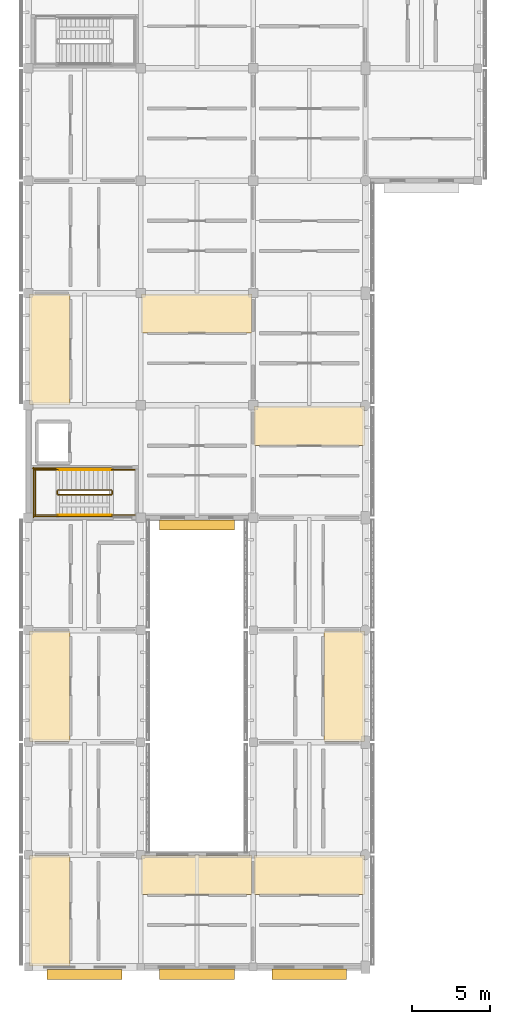
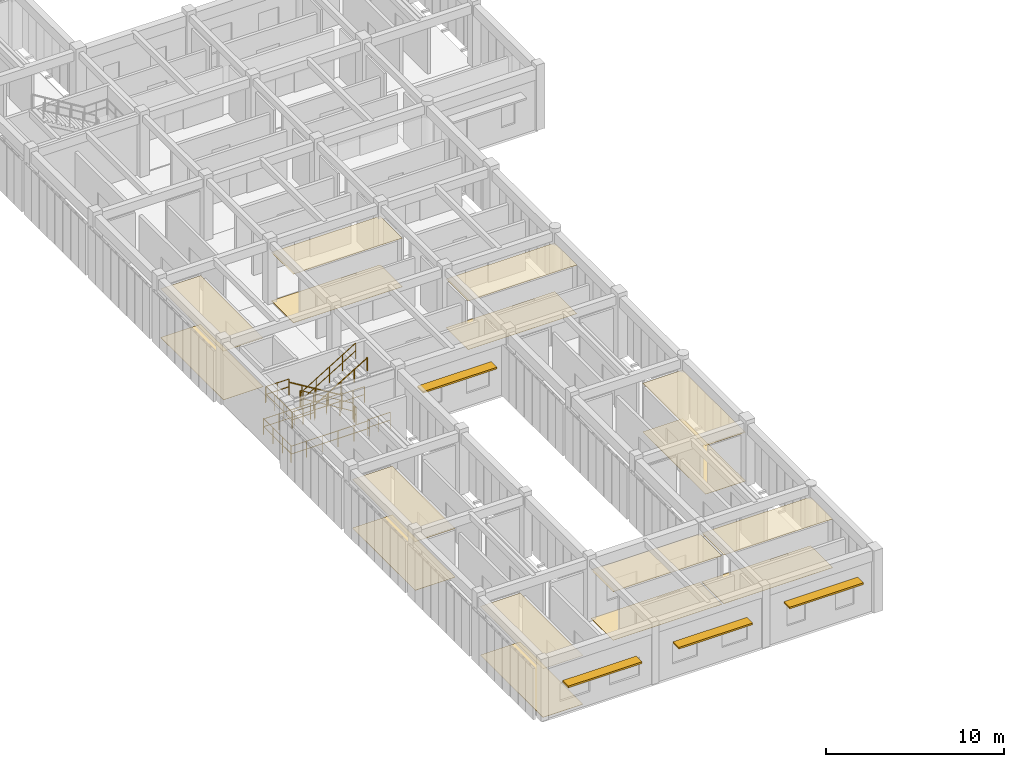
# One storey, part 147 of 171: 16 coverings, 14 railings, 4 shading devices.
"""IFC4 building model written with IfcOpenShell, lengths in metres."""

from ifc_helpers import new_model, si_unit, direction, frame, origin, origin_2d, place, context, subcontext, project, spatial, polyline, rectangle, circle, outline, extrude, material, layer, layer_set, type_object, element, save


model = new_model("IFC4")

# Units and contexts
model_context = context("Model", 3, precision=1e-05, world=origin(), true_north=direction((0.0, 1.0)))
body_context = subcontext(model_context, "Body", "Model", "MODEL_VIEW")
ifc_project = project(units=[si_unit("LENGTHUNIT", "METRE"), si_unit("AREAUNIT", "SQUARE_METRE"), si_unit("VOLUMEUNIT", "CUBIC_METRE"), si_unit("PLANEANGLEUNIT", "RADIAN"), si_unit("MASSUNIT", "GRAM", prefix="KILO")], contexts=[model_context])

# Site, building, storey
site_placement = place(None, origin())
site = spatial("IfcSite", under=ifc_project, at=site_placement, CompositionType="ELEMENT")
building_placement = place(site_placement, origin())
building = spatial("IfcBuilding", under=site, at=building_placement, Name="Aldebral Square Health Centre", CompositionType="ELEMENT")
storey_placement = place(building_placement, frame((0.0, 0.0, 4.5)))
storey = spatial("IfcBuildingStorey", under=building, at=storey_placement, Name="L01", CompositionType="ELEMENT", Elevation=4.5)

# Coverings
ifc_material_1 = material(Name="Hygienic acoustic mineral ceiling tile")
ifc_layer_1 = layer(ifc_material_1, 0.02001953125, Name="Hygienic acoustic mineral ceiling tile")
ifc_layer_set_1 = layer_set([ifc_layer_1], Name="Hygienic acoustic mineral ceiling tile")
covering_type_1 = type_object("IfcCoveringType", Name="COV-CLG-AC", PredefinedType="CEILING", material=ifc_layer_set_1)
covering_1_placement = place(storey_placement, frame((0.0, 0.0, 3.340087890625)))
element("IfcCovering", 1, at=covering_1_placement, inside=storey, type_object=covering_type_1, Name="L01 Community Room 1.1W acoustic ceiling", PredefinedType="CEILING", context=body_context, shape_type="SweptSolid", body=[
    extrude(outline(polyline([(0.06005859375, 0.06005859375), (2.659912109375, 0.06005859375), (2.659912109375, 7.139892578125), (0.06005859375, 7.139892578125), (0.06005859375, 0.06005859375)])), origin(), (0.0, 0.0, 1.0), 0.02001953125),
])
covering_2_placement = place(storey_placement, frame((0.0, 0.0, 3.340087890625)))
element("IfcCovering", 2, at=covering_2_placement, inside=storey, type_object=covering_type_1, Name="L01 Accessible WC 1.3W acoustic ceiling", PredefinedType="CEILING", context=body_context, shape_type="SweptSolid", body=[
    extrude(outline(polyline([(0.06005859375, 14.4599609375), (2.659912109375, 14.4599609375), (2.659912109375, 21.5400390625), (0.06005859375, 21.5400390625), (0.06005859375, 14.4599609375)])), origin(), (0.0, 0.0, 1.0), 0.02001953125),
])
covering_3_placement = place(storey_placement, frame((0.0, 0.0, 3.340087890625)))
element("IfcCovering", 3, at=covering_3_placement, inside=storey, type_object=covering_type_1, Name="L01 Community Health Library 1.6W acoustic ceiling", PredefinedType="CEILING", context=body_context, shape_type="SweptSolid", body=[
    extrude(outline(polyline([(0.06005859375, 36.06005859375), (2.659912109375, 36.06005859375), (2.659912109375, 43.139892578125), (0.06005859375, 43.139892578125), (0.06005859375, 36.06005859375)])), origin(), (0.0, 0.0, 1.0), 0.02001953125),
])
covering_4_placement = place(storey_placement, frame((0.0, 0.0, 3.340087890625)))
element("IfcCovering", 4, at=covering_4_placement, inside=storey, type_object=covering_type_1, Name="L01 Nutrition Studio 2.1N acoustic ceiling", PredefinedType="CEILING", context=body_context, shape_type="SweptSolid", body=[
    extrude(outline(polyline([(7.260009765625, 4.639892578125), (14.340087890625, 4.639892578125), (14.340087890625, 7.139892578125), (7.260009765625, 7.139892578125), (7.260009765625, 4.639892578125)])), origin(), (0.0, 0.0, 1.0), 0.02001953125),
])
covering_5_placement = place(storey_placement, frame((0.0, 0.0, 3.340087890625)))
element("IfcCovering", 5, at=covering_5_placement, inside=storey, type_object=covering_type_1, Name="L01 Health Education Seminar 2.6N acoustic ceiling", PredefinedType="CEILING", context=body_context, shape_type="SweptSolid", body=[
    extrude(outline(polyline([(7.260009765625, 40.639892578125), (14.340087890625, 40.639892578125), (14.340087890625, 43.139892578125), (7.260009765625, 43.139892578125), (7.260009765625, 40.639892578125)])), origin(), (0.0, 0.0, 1.0), 0.02001953125),
])
covering_6_placement = place(storey_placement, frame((0.0, 0.0, 3.340087890625)))
element("IfcCovering", 6, at=covering_6_placement, inside=storey, type_object=covering_type_1, Name="L01 Community Room 3.1N acoustic ceiling", PredefinedType="CEILING", context=body_context, shape_type="SweptSolid", body=[
    extrude(outline(polyline([(14.4599609375, 4.639892578125), (21.5400390625, 4.639892578125), (21.5400390625, 7.139892578125), (14.4599609375, 7.139892578125), (14.4599609375, 4.639892578125)])), origin(), (0.0, 0.0, 1.0), 0.02001953125),
])
covering_7_placement = place(storey_placement, frame((0.0, 0.0, 3.340087890625)))
element("IfcCovering", 7, at=covering_7_placement, inside=storey, type_object=covering_type_1, Name="L01 Accessible WC 3.3E acoustic ceiling", PredefinedType="CEILING", context=body_context, shape_type="SweptSolid", body=[
    extrude(outline(polyline([(18.93994140625, 14.4599609375), (21.5400390625, 14.4599609375), (21.5400390625, 21.5400390625), (18.93994140625, 21.5400390625), (18.93994140625, 14.4599609375)])), origin(), (0.0, 0.0, 1.0), 0.02001953125),
])
covering_8_placement = place(storey_placement, frame((0.0, 0.0, 3.340087890625)))
element("IfcCovering", 8, at=covering_8_placement, inside=storey, type_object=covering_type_1, Name="L01 Community Health Library 3.5N acoustic ceiling", PredefinedType="CEILING", context=body_context, shape_type="SweptSolid", body=[
    extrude(outline(polyline([(14.4599609375, 33.43994140625), (21.5400390625, 33.43994140625), (21.5400390625, 35.93994140625), (14.4599609375, 35.93994140625), (14.4599609375, 33.43994140625)])), origin(), (0.0, 0.0, 1.0), 0.02001953125),
])
ifc_material_2 = material(Name="Antimicrobial clinical vinyl flooring")
ifc_layer_2 = layer(ifc_material_2, 0.014892578125, Name="Antimicrobial clinical vinyl flooring")
ifc_layer_set_2 = layer_set([ifc_layer_2], Name="Antimicrobial clinical vinyl flooring")
covering_type_2 = type_object("IfcCoveringType", Name="COV-FLR-VN", PredefinedType="FLOORING", material=ifc_layer_set_2)
covering_9_placement = place(storey_placement, origin())
element("IfcCovering", 9, at=covering_9_placement, inside=storey, type_object=covering_type_2, Name="L01 Community Room 1.1W clinical flooring", PredefinedType="FLOORING", context=body_context, shape_type="SweptSolid", body=[
    extrude(outline(polyline([(0.06005859375, 0.06005859375), (2.659912109375, 0.06005859375), (2.659912109375, 7.139892578125), (0.06005859375, 7.139892578125), (0.06005859375, 0.06005859375)])), origin(), (0.0, 0.0, 1.0), 0.014892578125),
])
covering_10_placement = place(storey_placement, origin())
element("IfcCovering", 10, at=covering_10_placement, inside=storey, type_object=covering_type_2, Name="L01 Accessible WC 1.3W clinical flooring", PredefinedType="FLOORING", context=body_context, shape_type="SweptSolid", body=[
    extrude(outline(polyline([(0.06005859375, 14.4599609375), (2.659912109375, 14.4599609375), (2.659912109375, 21.5400390625), (0.06005859375, 21.5400390625), (0.06005859375, 14.4599609375)])), origin(), (0.0, 0.0, 1.0), 0.014892578125),
])
covering_11_placement = place(storey_placement, origin())
element("IfcCovering", 11, at=covering_11_placement, inside=storey, type_object=covering_type_2, Name="L01 Community Health Library 1.6W clinical flooring", PredefinedType="FLOORING", context=body_context, shape_type="SweptSolid", body=[
    extrude(outline(polyline([(0.06005859375, 36.06005859375), (2.659912109375, 36.06005859375), (2.659912109375, 43.139892578125), (0.06005859375, 43.139892578125), (0.06005859375, 36.06005859375)])), origin(), (0.0, 0.0, 1.0), 0.014892578125),
])
covering_12_placement = place(storey_placement, origin())
element("IfcCovering", 12, at=covering_12_placement, inside=storey, type_object=covering_type_2, Name="L01 Nutrition Studio 2.1N clinical flooring", PredefinedType="FLOORING", context=body_context, shape_type="SweptSolid", body=[
    extrude(outline(polyline([(7.260009765625, 4.639892578125), (14.340087890625, 4.639892578125), (14.340087890625, 7.139892578125), (7.260009765625, 7.139892578125), (7.260009765625, 4.639892578125)])), origin(), (0.0, 0.0, 1.0), 0.014892578125),
])
covering_13_placement = place(storey_placement, origin())
element("IfcCovering", 13, at=covering_13_placement, inside=storey, type_object=covering_type_2, Name="L01 Health Education Seminar 2.6N clinical flooring", PredefinedType="FLOORING", context=body_context, shape_type="SweptSolid", body=[
    extrude(outline(polyline([(7.260009765625, 40.639892578125), (14.340087890625, 40.639892578125), (14.340087890625, 43.139892578125), (7.260009765625, 43.139892578125), (7.260009765625, 40.639892578125)])), origin(), (0.0, 0.0, 1.0), 0.014892578125),
])
covering_14_placement = place(storey_placement, origin())
element("IfcCovering", 14, at=covering_14_placement, inside=storey, type_object=covering_type_2, Name="L01 Community Room 3.1N clinical flooring", PredefinedType="FLOORING", context=body_context, shape_type="SweptSolid", body=[
    extrude(outline(polyline([(14.4599609375, 4.639892578125), (21.5400390625, 4.639892578125), (21.5400390625, 7.139892578125), (14.4599609375, 7.139892578125), (14.4599609375, 4.639892578125)])), origin(), (0.0, 0.0, 1.0), 0.014892578125),
])
covering_15_placement = place(storey_placement, origin())
element("IfcCovering", 15, at=covering_15_placement, inside=storey, type_object=covering_type_2, Name="L01 Accessible WC 3.3E clinical flooring", PredefinedType="FLOORING", context=body_context, shape_type="SweptSolid", body=[
    extrude(outline(polyline([(18.93994140625, 14.4599609375), (21.5400390625, 14.4599609375), (21.5400390625, 21.5400390625), (18.93994140625, 21.5400390625), (18.93994140625, 14.4599609375)])), origin(), (0.0, 0.0, 1.0), 0.014892578125),
])
covering_16_placement = place(storey_placement, origin())
element("IfcCovering", 16, at=covering_16_placement, inside=storey, type_object=covering_type_2, Name="L01 Community Health Library 3.5N clinical flooring", PredefinedType="FLOORING", context=body_context, shape_type="SweptSolid", body=[
    extrude(outline(polyline([(14.4599609375, 33.43994140625), (21.5400390625, 33.43994140625), (21.5400390625, 35.93994140625), (14.4599609375, 35.93994140625), (14.4599609375, 33.43994140625)])), origin(), (0.0, 0.0, 1.0), 0.014892578125),
])

# Railings
ifc_material_3 = material(Name="Painted steel S355JR stair guard", Category="steel")
railing_type_1 = type_object("IfcRailingType", Name="RL-ST-GRD", PredefinedType="GUARDRAIL", material=ifc_material_3)
railing_1_placement = place(storey_placement, frame((5.320068359375, 30.570068359375, 0.173095703125)))
element("IfcRailing", 17, at=railing_1_placement, inside=storey, type_object=railing_type_1, Name="L01 ST-05 stair guard 1", PredefinedType="GUARDRAIL", context=body_context, shape_type="SweptSolid", body=[
    extrude(circle(Radius=0.02392578125, at=origin_2d()), frame((0.0, 0.0, 1.09619140625), z_axis=(-0.854745945586, 0.0, 0.519046595696), x_axis=(0.0, -1.0, 0.0)), (0.0, 0.0, 1.0), 4.00146484375),
    extrude(circle(Radius=0.02392578125, at=origin_2d()), frame((0.0, 0.0, 0.56005859375), z_axis=(-0.854745945586, 0.0, 0.519046595696), x_axis=(0.0, -1.0, 0.0)), (0.0, 0.0, 1.0), 4.00146484375),
    extrude(circle(Radius=0.02099609375, at=origin_2d()), origin(), (0.0, 0.0, 1.0), 1.072021484375),
    extrude(circle(Radius=0.02099609375, at=origin_2d()), frame((-0.85498046875, 0.0, 0.519287109375)), (0.0, 0.0, 1.0), 1.072021484375),
    extrude(circle(Radius=0.02099609375, at=origin_2d()), frame((-1.7099609375, 0.0, 1.03857421875)), (0.0, 0.0, 1.0), 1.072021484375),
    extrude(circle(Radius=0.02099609375, at=origin_2d()), frame((-2.565185546875, 0.0, 1.5576171875)), (0.0, 0.0, 1.0), 1.072021484375),
    extrude(circle(Radius=0.02099609375, at=origin_2d()), frame((-3.420166015625, 0.0, 2.076904296875)), (0.0, 0.0, 1.0), 1.072021484375),
])
railing_2_placement = place(storey_placement, frame((1.85009765625, 30.52001953125, 2.25)))
element("IfcRailing", 18, at=railing_2_placement, inside=storey, type_object=railing_type_1, Name="L01 ST-05 stair guard 2", PredefinedType="GUARDRAIL", context=body_context, shape_type="SweptSolid", body=[
    extrude(circle(Radius=0.02392578125, at=origin_2d()), frame((0.0, 0.0, 1.09619140625), z_axis=(0.0, -1.0, 0.0), x_axis=(1.0, 0.0, 0.0)), (0.0, 0.0, 1.0), 0.199951171875),
    extrude(circle(Radius=0.02392578125, at=origin_2d()), frame((0.0, 0.0, 0.56005859375), z_axis=(0.0, -1.0, 0.0), x_axis=(1.0, 0.0, 0.0)), (0.0, 0.0, 1.0), 0.199951171875),
    extrude(circle(Radius=0.02099609375, at=origin_2d()), origin(), (0.0, 0.0, 1.0), 1.072021484375),
    extrude(circle(Radius=0.02099609375, at=origin_2d()), frame((0.0, -0.199951171875, 0.0)), (0.0, 0.0, 1.0), 1.072021484375),
])
for number, where, name in (
    (19, (1.89990234375, 31.8701171875, 2.25), "L01 ST-05 stair guard 3"),
    (20, (1.89990234375, 28.969970703125, 2.25), "L01 ST-05 stair guard 4"),
):
    element("IfcRailing", number, at=place(storey_placement, frame(where)), inside=storey, type_object=railing_type_1, Name=name, PredefinedType="GUARDRAIL", context=body_context, shape_type="SweptSolid", body=[
        extrude(circle(Radius=0.02392578125, at=origin_2d()), frame((0.0, 0.0, 1.09619140625), z_axis=(-1.0, 0.0, 0.0), x_axis=(0.0, -1.0, 0.0)), (0.0, 0.0, 1.0), 1.52001953125),
        extrude(circle(Radius=0.02392578125, at=origin_2d()), frame((0.0, 0.0, 0.56005859375), z_axis=(-1.0, 0.0, 0.0), x_axis=(0.0, -1.0, 0.0)), (0.0, 0.0, 1.0), 1.52001953125),
        extrude(circle(Radius=0.02099609375, at=origin_2d()), origin(), (0.0, 0.0, 1.0), 1.072021484375),
        extrude(circle(Radius=0.02099609375, at=origin_2d()), frame((-0.760009765625, 0.0, 0.0)), (0.0, 0.0, 1.0), 1.072021484375),
        extrude(circle(Radius=0.02099609375, at=origin_2d()), frame((-1.52001953125, 0.0, 0.0)), (0.0, 0.0, 1.0), 1.072021484375),
    ])
railing_3_placement = place(storey_placement, frame((0.429931640625, 31.919921875, 2.25)))
element("IfcRailing", 21, at=railing_3_placement, inside=storey, type_object=railing_type_1, Name="L01 ST-05 stair guard 5", PredefinedType="GUARDRAIL", context=body_context, shape_type="SweptSolid", body=[
    extrude(circle(Radius=0.02392578125, at=origin_2d()), frame((0.0, 0.0, 1.09619140625), z_axis=(0.0, -1.0, 0.0), x_axis=(1.0, 0.0, 0.0)), (0.0, 0.0, 1.0), 3.0),
    extrude(circle(Radius=0.02392578125, at=origin_2d()), frame((0.0, 0.0, 0.56005859375), z_axis=(0.0, -1.0, 0.0), x_axis=(1.0, 0.0, 0.0)), (0.0, 0.0, 1.0), 3.0),
    extrude(circle(Radius=0.02099609375, at=origin_2d()), origin(), (0.0, 0.0, 1.0), 1.072021484375),
    extrude(circle(Radius=0.02099609375, at=origin_2d()), frame((0.0, -1.0, 0.0)), (0.0, 0.0, 1.0), 1.072021484375),
    extrude(circle(Radius=0.02099609375, at=origin_2d()), frame((0.0, -2.0, 0.0)), (0.0, 0.0, 1.0), 1.072021484375),
    extrude(circle(Radius=0.02099609375, at=origin_2d()), frame((0.0, -3.0, 0.0)), (0.0, 0.0, 1.0), 1.072021484375),
])
railing_4_placement = place(storey_placement, frame((1.89990234375, 30.27001953125, 2.423095703125)))
element("IfcRailing", 22, at=railing_4_placement, inside=storey, type_object=railing_type_1, Name="L01 ST-05 stair guard 6", PredefinedType="GUARDRAIL", context=body_context, shape_type="SweptSolid", body=[
    extrude(circle(Radius=0.02392578125, at=origin_2d()), frame((0.0, 0.0, 1.09619140625), z_axis=(0.854745945586, 0.0, 0.519046595696), x_axis=(0.0, 1.0, 0.0)), (0.0, 0.0, 1.0), 4.00146484375),
    extrude(circle(Radius=0.02392578125, at=origin_2d()), frame((0.0, 0.0, 0.56005859375), z_axis=(0.854745945586, 0.0, 0.519046595696), x_axis=(0.0, 1.0, 0.0)), (0.0, 0.0, 1.0), 4.00146484375),
    extrude(circle(Radius=0.02099609375, at=origin_2d()), origin(), (0.0, 0.0, 1.0), 1.072021484375),
    extrude(circle(Radius=0.02099609375, at=origin_2d()), frame((0.85498046875, 0.0, 0.519287109375)), (0.0, 0.0, 1.0), 1.072021484375),
    extrude(circle(Radius=0.02099609375, at=origin_2d()), frame((1.7099609375, 0.0, 1.03857421875)), (0.0, 0.0, 1.0), 1.072021484375),
    extrude(circle(Radius=0.02099609375, at=origin_2d()), frame((2.565185546875, 0.0, 1.5576171875)), (0.0, 0.0, 1.0), 1.072021484375),
    extrude(circle(Radius=0.02099609375, at=origin_2d()), frame((3.420166015625, 0.0, 2.076904296875)), (0.0, 0.0, 1.0), 1.072021484375),
])
railing_5_placement = place(storey_placement, frame((5.3701171875, 30.52001953125, 0.0)))
element("IfcRailing", 23, at=railing_5_placement, inside=storey, type_object=railing_type_1, Name="L01 ST-05 stair guard 7", PredefinedType="GUARDRAIL", context=body_context, shape_type="SweptSolid", body=[
    extrude(circle(Radius=0.02392578125, at=origin_2d()), frame((0.0, 0.0, 1.09619140625), z_axis=(0.0, -1.0, 0.0), x_axis=(1.0, 0.0, 0.0)), (0.0, 0.0, 1.0), 0.199951171875),
    extrude(circle(Radius=0.02392578125, at=origin_2d()), frame((0.0, 0.0, 0.56005859375), z_axis=(0.0, -1.0, 0.0), x_axis=(1.0, 0.0, 0.0)), (0.0, 0.0, 1.0), 0.199951171875),
    extrude(circle(Radius=0.02099609375, at=origin_2d()), origin(), (0.0, 0.0, 1.0), 1.072021484375),
    extrude(circle(Radius=0.02099609375, at=origin_2d()), frame((0.0, -0.199951171875, 0.0)), (0.0, 0.0, 1.0), 1.072021484375),
])
for number, where, name in (
    (24, (6.820068359375, 31.8701171875, 0.0), "L01 ST-05 stair guard 8"),
    (25, (6.820068359375, 28.969970703125, 0.0), "L01 ST-05 stair guard 9"),
):
    element("IfcRailing", number, at=place(storey_placement, frame(where)), inside=storey, type_object=railing_type_1, Name=name, PredefinedType="GUARDRAIL", context=body_context, shape_type="SweptSolid", body=[
        extrude(circle(Radius=0.02392578125, at=origin_2d()), frame((0.0, 0.0, 1.09619140625), z_axis=(-1.0, 0.0, 0.0), x_axis=(0.0, -1.0, 0.0)), (0.0, 0.0, 1.0), 1.5),
        extrude(circle(Radius=0.02392578125, at=origin_2d()), frame((0.0, 0.0, 0.56005859375), z_axis=(-1.0, 0.0, 0.0), x_axis=(0.0, -1.0, 0.0)), (0.0, 0.0, 1.0), 1.5),
        extrude(circle(Radius=0.02099609375, at=origin_2d()), origin(), (0.0, 0.0, 1.0), 1.072021484375),
        extrude(circle(Radius=0.02099609375, at=origin_2d()), frame((-0.75, 0.0, 0.0)), (0.0, 0.0, 1.0), 1.072021484375),
        extrude(circle(Radius=0.02099609375, at=origin_2d()), frame((-1.5, 0.0, 0.0)), (0.0, 0.0, 1.0), 1.072021484375),
    ])
for number, where, name in (
    (26, (5.419921875, 31.969970703125, 0.0), "L01 ST-05 stair guard 10"),
    (27, (5.419921875, 28.8701171875, 0.0), "L01 ST-05 stair guard 11"),
):
    element("IfcRailing", number, at=place(storey_placement, frame(where)), inside=storey, type_object=railing_type_1, Name=name, PredefinedType="GUARDRAIL", context=body_context, shape_type="SweptSolid", body=[
        extrude(circle(Radius=0.02392578125, at=origin_2d()), frame((0.0, 0.0, 1.09619140625), z_axis=(-1.0, 0.0, 0.0), x_axis=(0.0, -1.0, 0.0)), (0.0, 0.0, 1.0), 5.139892578125),
        extrude(circle(Radius=0.02392578125, at=origin_2d()), frame((0.0, 0.0, 0.56005859375), z_axis=(-1.0, 0.0, 0.0), x_axis=(0.0, -1.0, 0.0)), (0.0, 0.0, 1.0), 5.139892578125),
        extrude(circle(Radius=0.02099609375, at=origin_2d()), origin(), (0.0, 0.0, 1.0), 1.072021484375),
        extrude(circle(Radius=0.02099609375, at=origin_2d()), frame((-1.028076171875, 0.0, 0.0)), (0.0, 0.0, 1.0), 1.072021484375),
        extrude(circle(Radius=0.02099609375, at=origin_2d()), frame((-2.055908203125, 0.0, 0.0)), (0.0, 0.0, 1.0), 1.072021484375),
        extrude(circle(Radius=0.02099609375, at=origin_2d()), frame((-3.083984375, 0.0, 0.0)), (0.0, 0.0, 1.0), 1.072021484375),
        extrude(circle(Radius=0.02099609375, at=origin_2d()), frame((-4.11181640625, 0.0, 0.0)), (0.0, 0.0, 1.0), 1.072021484375),
        extrude(circle(Radius=0.02099609375, at=origin_2d()), frame((-5.139892578125, 0.0, 0.0)), (0.0, 0.0, 1.0), 1.072021484375),
    ])
railing_6_placement = place(storey_placement, frame((0.330078125, 32.02001953125, 0.0)))
element("IfcRailing", 28, at=railing_6_placement, inside=storey, type_object=railing_type_1, Name="L01 ST-05 stair guard 12", PredefinedType="GUARDRAIL", context=body_context, shape_type="SweptSolid", body=[
    extrude(circle(Radius=0.02392578125, at=origin_2d()), frame((0.0, 0.0, 1.09619140625), z_axis=(0.0, -1.0, 0.0), x_axis=(1.0, 0.0, 0.0)), (0.0, 0.0, 1.0), 3.199951171875),
    extrude(circle(Radius=0.02392578125, at=origin_2d()), frame((0.0, 0.0, 0.56005859375), z_axis=(0.0, -1.0, 0.0), x_axis=(1.0, 0.0, 0.0)), (0.0, 0.0, 1.0), 3.199951171875),
    extrude(circle(Radius=0.02099609375, at=origin_2d()), origin(), (0.0, 0.0, 1.0), 1.072021484375),
    extrude(circle(Radius=0.02099609375, at=origin_2d()), frame((0.0, -1.066650390625, 0.0)), (0.0, 0.0, 1.0), 1.072021484375),
    extrude(circle(Radius=0.02099609375, at=origin_2d()), frame((0.0, -2.13330078125, 0.0)), (0.0, 0.0, 1.0), 1.072021484375),
    extrude(circle(Radius=0.02099609375, at=origin_2d()), frame((0.0, -3.199951171875, 0.0)), (0.0, 0.0, 1.0), 1.072021484375),
])
ifc_material_4 = material(Name="Brushed stainless steel handrail", Category="steel")
railing_type_2 = type_object("IfcRailingType", Name="RL-ST-HND", PredefinedType="HANDRAIL", material=ifc_material_4)
railing_7_placement = place(storey_placement, frame((5.320068359375, 31.8701171875, 0.173095703125)))
element("IfcRailing", 29, at=railing_7_placement, inside=storey, type_object=railing_type_2, Name="L01 ST-05 stair handrail 1", PredefinedType="HANDRAIL", context=body_context, shape_type="SweptSolid", body=[
    extrude(circle(Radius=0.02392578125, at=origin_2d()), frame((0.0, 0.0, 0.8759765625), z_axis=(-0.854745945586, 0.0, 0.519046595696), x_axis=(0.0, -1.0, 0.0)), (0.0, 0.0, 1.0), 4.00146484375),
    extrude(circle(Radius=0.02099609375, at=origin_2d()), origin(), (0.0, 0.0, 1.0), 0.851806640625),
    extrude(circle(Radius=0.02099609375, at=origin_2d()), frame((-0.85498046875, 0.0, 0.519287109375)), (0.0, 0.0, 1.0), 0.851806640625),
    extrude(circle(Radius=0.02099609375, at=origin_2d()), frame((-1.7099609375, 0.0, 1.03857421875)), (0.0, 0.0, 1.0), 0.851806640625),
    extrude(circle(Radius=0.02099609375, at=origin_2d()), frame((-2.565185546875, 0.0, 1.5576171875)), (0.0, 0.0, 1.0), 0.851806640625),
    extrude(circle(Radius=0.02099609375, at=origin_2d()), frame((-3.420166015625, 0.0, 2.076904296875)), (0.0, 0.0, 1.0), 0.851806640625),
])
railing_8_placement = place(storey_placement, frame((1.89990234375, 28.969970703125, 2.423095703125)))
element("IfcRailing", 30, at=railing_8_placement, inside=storey, type_object=railing_type_2, Name="L01 ST-05 stair handrail 2", PredefinedType="HANDRAIL", context=body_context, shape_type="SweptSolid", body=[
    extrude(circle(Radius=0.02392578125, at=origin_2d()), frame((0.0, 0.0, 0.8759765625), z_axis=(0.854745945586, 0.0, 0.519046595696), x_axis=(0.0, 1.0, 0.0)), (0.0, 0.0, 1.0), 4.00146484375),
    extrude(circle(Radius=0.02099609375, at=origin_2d()), origin(), (0.0, 0.0, 1.0), 0.851806640625),
    extrude(circle(Radius=0.02099609375, at=origin_2d()), frame((0.85498046875, 0.0, 0.519287109375)), (0.0, 0.0, 1.0), 0.851806640625),
    extrude(circle(Radius=0.02099609375, at=origin_2d()), frame((1.7099609375, 0.0, 1.03857421875)), (0.0, 0.0, 1.0), 0.851806640625),
    extrude(circle(Radius=0.02099609375, at=origin_2d()), frame((2.565185546875, 0.0, 1.5576171875)), (0.0, 0.0, 1.0), 0.851806640625),
    extrude(circle(Radius=0.02099609375, at=origin_2d()), frame((3.420166015625, 0.0, 2.076904296875)), (0.0, 0.0, 1.0), 0.851806640625),
])

# Shading devices
ifc_material_5 = material(Name="Sienna-terracotta solar hood", Category="masonry")
shading_device_type = type_object("IfcShadingDeviceType", Name="SHD-LVR-1", PredefinedType="JALOUSIE", material=ifc_material_5)
for number, where, z_axis, x_axis, name in (
    (31, (3.60009765625, -0.485107421875, 2.169921875), (0.0, 0.0, 1.0), (1.0, 0.0, 0.0), "L01 solar hood L01-V6-00-00-S"),
    (32, (10.800048828125, -0.465087890625, 2.300048828125), (0.0, 0.0, 1.0), (1.0, 0.0, 0.0), "L01 solar hood L01-V6-01-00-S"),
    (33, (10.800048828125, 28.3349609375, 2.419921875), (0.0, 0.0, 1.0), (1.0, 0.0, 0.0), "L01 solar hood L01-V6-01-04-S"),
    (34, (18.0, -0.465087890625, 2.5400390625), (0.0, 0.0, 1.0), (1.0, 0.0, 0.0), "L01 solar hood L01-V6-02-00-S"),
):
    element("IfcShadingDevice", number, at=place(storey_placement, frame(where, z_axis=z_axis, x_axis=x_axis)), inside=storey, type_object=shading_device_type, Name=name, PredefinedType="JALOUSIE", context=body_context, shape_type="SweptSolid", body=[
        extrude(rectangle(XDim=4.800048828125, YDim=0.64990234375, at=origin_2d()), origin(), (0.0, 0.0, 1.0), 0.1201171875),
    ])

save(model, "model.ifc")
